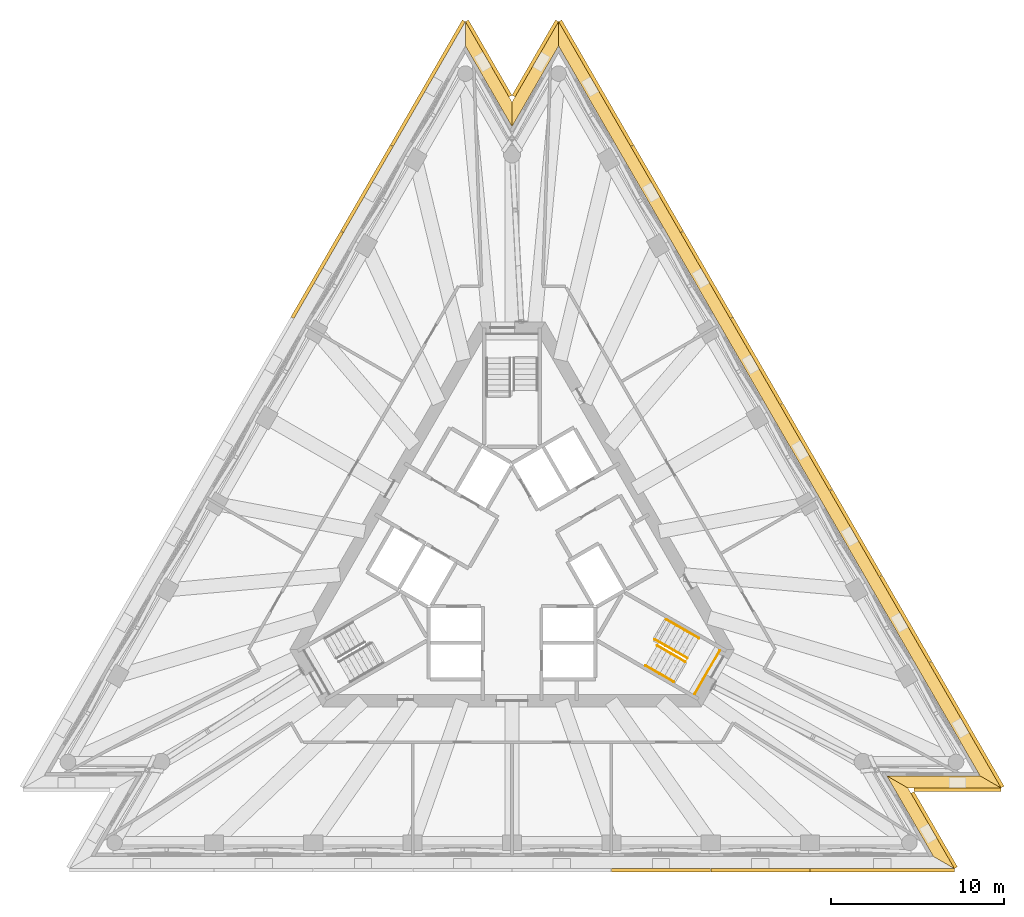
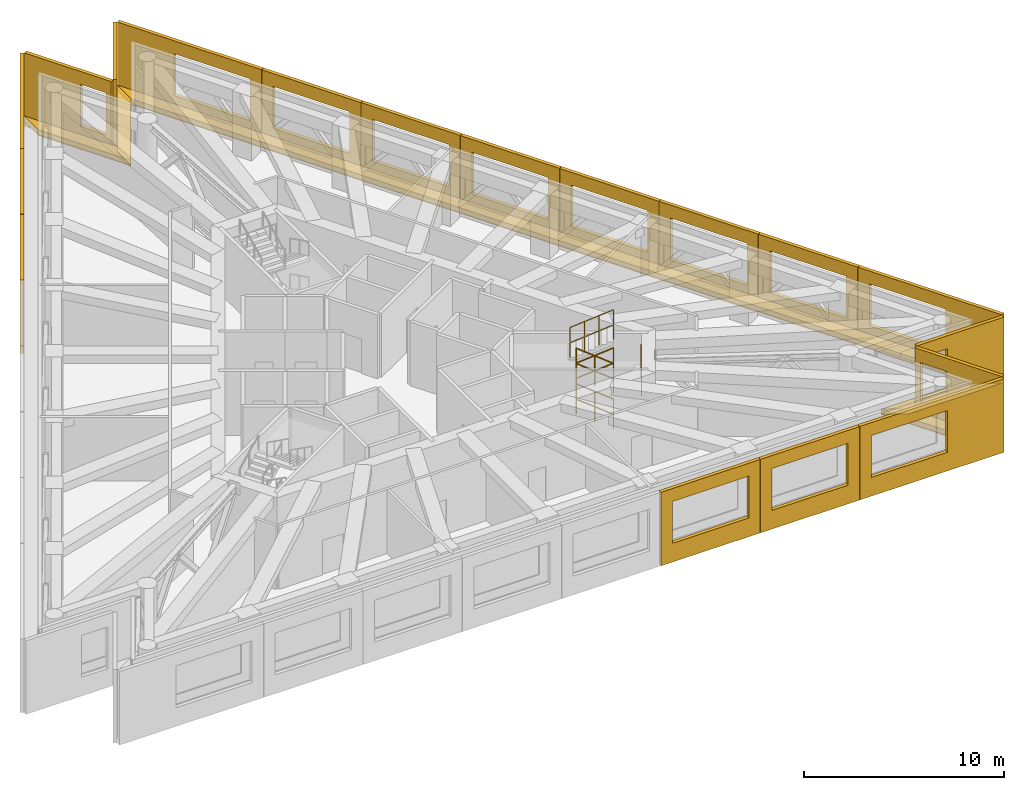
# One storey, part 12 of 12: 23 shading devices, 9 railings, 5 coverings, 1 element without a shape of its own.
"""IFC4 building model written with IfcOpenShell, lengths in metres."""

from ifc_helpers import new_model, si_unit, direction, frame, origin, origin_2d, place, context, subcontext, project, spatial, polyline, circle, outline, extrude, material, layer, layer_set, layer_usage, type_object, element, aggregate, save


model = new_model("IFC4")

# Units and contexts
model_context = context("Model", 3, precision=1e-05, world=origin(), true_north=direction((0.0, 1.0)))
body_context = subcontext(model_context, "Body", "Model", "MODEL_VIEW")
ifc_project = project(units=[si_unit("LENGTHUNIT", "METRE"), si_unit("AREAUNIT", "SQUARE_METRE"), si_unit("VOLUMEUNIT", "CUBIC_METRE"), si_unit("PLANEANGLEUNIT", "RADIAN"), si_unit("MASSUNIT", "GRAM", prefix="KILO")], contexts=[model_context])

# Site, building, storey
site_placement = place(None, origin())
site = spatial("IfcSite", under=ifc_project, at=site_placement, CompositionType="ELEMENT")
building_placement = place(site_placement, origin())
building = spatial("IfcBuilding", under=site, at=building_placement, Name="Triada Interchange Tower", CompositionType="ELEMENT")
storey_placement = place(building_placement, frame((0.0, 0.0, 251.300048828125)))
storey = spatial("IfcBuildingStorey", under=building, at=storey_placement, Name="L59", CompositionType="ELEMENT", Elevation=251.300048828125)

# Coverings
ifc_material_1 = material(Name="Mineral fire-stop board")
ifc_layer_1 = layer(ifc_material_1, 0.0400390625, Name="Mineral fire-stop board")
ifc_material_2 = material(Name="Intumescent sealant")
ifc_layer_2 = layer(ifc_material_2, 0.010009765625, Name="Intumescent seal")
ifc_layer_set_1 = layer_set([ifc_layer_1, ifc_layer_2], Name="Cavity fire stop")
ifc_layer_usage = layer_usage(ifc_layer_set_1, "AXIS3", "POSITIVE", 0.0)
covering_type = type_object("IfcCoveringType", Name="Cavity fire stop", PredefinedType="INSULATION", material=ifc_layer_set_1)
covering_1_placement = place(storey_placement, origin())
element("IfcCovering", 1, at=covering_1_placement, inside=storey, type_object=covering_type, material=ifc_layer_usage, Name="Cavity fire stop L59 SE-1", PredefinedType="INSULATION", context=body_context, shape_type="SweptSolid", body=[
    extrude(outline(polyline([(24.301025390625, -17.132080078125), (25.512939453125, -17.83203125), (22.826904296875, -13.178955078125), (21.614990234375, -12.47900390625), (24.301025390625, -17.132080078125)])), origin(), (0.0, 0.0, 1.0), 0.050048828125),
])
covering_2_placement = place(storey_placement, origin())
element("IfcCovering", 2, at=covering_2_placement, inside=storey, type_object=covering_type, material=ifc_layer_usage, Name="Cavity fire stop L59 SE-2", PredefinedType="INSULATION", context=body_context, shape_type="SweptSolid", body=[
    extrude(outline(polyline([(21.614990234375, -12.47900390625), (22.826904296875, -13.178955078125), (28.198974609375, -13.178955078125), (26.987060546875, -12.47900390625), (21.614990234375, -12.47900390625)])), origin(), (0.0, 0.0, 1.0), 0.050048828125),
])
covering_3_placement = place(storey_placement, origin())
element("IfcCovering", 3, at=covering_3_placement, inside=storey, type_object=covering_type, material=ifc_layer_usage, Name="Cavity fire stop L59 NE", PredefinedType="INSULATION", context=body_context, shape_type="SweptSolid", body=[
    extrude(outline(polyline([(26.987060546875, -12.47900390625), (28.198974609375, -13.178955078125), (2.68603515625, 31.010986328125), (2.68603515625, 29.611083984375), (26.987060546875, -12.47900390625)])), origin(), (0.0, 0.0, 1.0), 0.050048828125),
])
covering_4_placement = place(storey_placement, origin())
element("IfcCovering", 4, at=covering_4_placement, inside=storey, type_object=covering_type, material=ifc_layer_usage, Name="Cavity fire stop L59 N-1", PredefinedType="INSULATION", context=body_context, shape_type="SweptSolid", body=[
    extrude(outline(polyline([(2.68603515625, 29.611083984375), (2.68603515625, 31.010986328125), (0.0, 26.35888671875), (0.0, 24.958984375), (2.68603515625, 29.611083984375)])), origin(), (0.0, 0.0, 1.0), 0.050048828125),
])
covering_5_placement = place(storey_placement, origin())
element("IfcCovering", 5, at=covering_5_placement, inside=storey, type_object=covering_type, material=ifc_layer_usage, Name="Cavity fire stop L59 N-2", PredefinedType="INSULATION", context=body_context, shape_type="SweptSolid", body=[
    extrude(outline(polyline([(0.0, 24.958984375), (0.0, 26.35888671875), (-2.68603515625, 31.010986328125), (-2.68603515625, 29.611083984375), (0.0, 24.958984375)])), origin(), (0.0, 0.0, 1.0), 0.050048828125),
])

# Shading devices
ifc_material_3 = material(Name="Aluminium louvre", Category="aluminium")
shading_device_type_1 = type_object("IfcShadingDeviceType", Name="Cavity louvre grille", PredefinedType="JALOUSIE", material=ifc_material_3)
shading_device_1_placement = place(storey_placement, frame((0.0, 0.0, 0.050048828125)))
element("IfcShadingDevice", 6, at=shading_device_1_placement, inside=storey, type_object=shading_device_type_1, Name="Cavity louvre grille L59 SE-1", PredefinedType="JALOUSIE", context=body_context, shape_type="SweptSolid", body=[
    extrude(outline(polyline([(24.301025390625, -17.132080078125), (25.512939453125, -17.83203125), (22.826904296875, -13.178955078125), (21.614990234375, -12.47900390625), (24.301025390625, -17.132080078125)])), origin(), (0.0, 0.0, 1.0), 0.2998046875),
])
shading_device_2_placement = place(storey_placement, frame((0.0, 0.0, 0.050048828125)))
element("IfcShadingDevice", 7, at=shading_device_2_placement, inside=storey, type_object=shading_device_type_1, Name="Cavity louvre grille L59 SE-2", PredefinedType="JALOUSIE", context=body_context, shape_type="SweptSolid", body=[
    extrude(outline(polyline([(21.614990234375, -12.47900390625), (22.826904296875, -13.178955078125), (28.198974609375, -13.178955078125), (26.987060546875, -12.47900390625), (21.614990234375, -12.47900390625)])), origin(), (0.0, 0.0, 1.0), 0.2998046875),
])
shading_device_3_placement = place(storey_placement, frame((0.0, 0.0, 0.050048828125)))
element("IfcShadingDevice", 8, at=shading_device_3_placement, inside=storey, type_object=shading_device_type_1, Name="Cavity louvre grille L59 NE", PredefinedType="JALOUSIE", context=body_context, shape_type="SweptSolid", body=[
    extrude(outline(polyline([(26.987060546875, -12.47900390625), (28.198974609375, -13.178955078125), (2.68603515625, 31.010986328125), (2.68603515625, 29.611083984375), (26.987060546875, -12.47900390625)])), origin(), (0.0, 0.0, 1.0), 0.2998046875),
])
shading_device_4_placement = place(storey_placement, frame((0.0, 0.0, 0.050048828125)))
element("IfcShadingDevice", 9, at=shading_device_4_placement, inside=storey, type_object=shading_device_type_1, Name="Cavity louvre grille L59 N-1", PredefinedType="JALOUSIE", context=body_context, shape_type="SweptSolid", body=[
    extrude(outline(polyline([(2.68603515625, 29.611083984375), (2.68603515625, 31.010986328125), (0.0, 26.35888671875), (0.0, 24.958984375), (2.68603515625, 29.611083984375)])), origin(), (0.0, 0.0, 1.0), 0.2998046875),
])
shading_device_5_placement = place(storey_placement, frame((0.0, 0.0, 0.050048828125)))
element("IfcShadingDevice", 10, at=shading_device_5_placement, inside=storey, type_object=shading_device_type_1, Name="Cavity louvre grille L59 N-2", PredefinedType="JALOUSIE", context=body_context, shape_type="SweptSolid", body=[
    extrude(outline(polyline([(0.0, 24.958984375), (0.0, 26.35888671875), (-2.68603515625, 31.010986328125), (-2.68603515625, 29.611083984375), (0.0, 24.958984375)])), origin(), (0.0, 0.0, 1.0), 0.2998046875),
])
ifc_material_4 = material(Name="Concrete C50/60 precast", Category="concrete")
ifc_layer_3 = layer(ifc_material_4, 0.02001953125, Name="Exposed aggregate face")
ifc_layer_4 = layer(ifc_material_4, 0.179931640625, Name="Precast concrete screen")
ifc_layer_set_2 = layer_set([ifc_layer_3, ifc_layer_4], Name="Outer skin screen panel 4480")
shading_device_type_2 = type_object("IfcShadingDeviceType", Name="Outer skin screen panel 4480", PredefinedType="SHUTTER", material=ifc_layer_set_2)
shading_device_6_placement = place(storey_placement, frame((-2.69091796875, 31.001953125, -0.2900390625), z_axis=(0.0, 0.0, 1.0), x_axis=(-0.499973480863, -0.866040714074, 0.0)))
element("IfcShadingDevice", 11, at=shading_device_6_placement, inside=storey, type_object=shading_device_type_2, Name="Outer skin screen panel L59 01", PredefinedType="SHUTTER", context=body_context, shape_type="SweptSolid", body=[
    extrude(outline(polyline([(0.0, 0.0), (8.306640625, 0.0), (8.306640625, 4.47998046875), (0.0, 4.47998046875), (0.0, 0.0)]), holes=[polyline([(3.252685546875, 1.139892578125), (3.252685546875, 3.68994140625), (7.652587890625, 3.68994140625), (7.652587890625, 1.139892578125), (3.252685546875, 1.139892578125)])]), frame((0.0, 0.0, 0.0), z_axis=(0.0, -1.0, 0.0), x_axis=(1.0, 0.0, 0.0)), (0.0, 0.0, 1.0), 0.199951171875),
])
shading_device_7_placement = place(storey_placement, frame((-6.85400390625, 23.791015625, -0.2900390625), z_axis=(0.0, 0.0, 1.0), x_axis=(-0.500066698622, -0.865986891892, 0.0)))
element("IfcShadingDevice", 12, at=shading_device_7_placement, inside=storey, type_object=shading_device_type_2, Name="Outer skin screen panel L59 02", PredefinedType="SHUTTER", context=body_context, shape_type="SweptSolid", body=[
    extrude(outline(polyline([(0.0, 0.0), (5.709228515625, 0.0), (5.709228515625, 4.47998046875), (0.0, 4.47998046875), (0.0, 0.0)]), holes=[polyline([(0.65478515625, 1.139892578125), (0.65478515625, 3.68994140625), (5.0546875, 3.68994140625), (5.0546875, 1.139892578125), (0.65478515625, 1.139892578125)])]), frame((0.0, 0.0, 0.0), z_axis=(0.0, -1.0, 0.0), x_axis=(1.0, 0.0, 0.0)), (0.0, 0.0, 1.0), 0.199951171875),
])
shading_device_8_placement = place(storey_placement, frame((-9.718994140625, 18.830078125, -0.2900390625), z_axis=(0.0, 0.0, 1.0), x_axis=(-0.499938405553, -0.866060962434, 0.0)))
element("IfcShadingDevice", 13, at=shading_device_8_placement, inside=storey, type_object=shading_device_type_2, Name="Outer skin screen panel L59 03", PredefinedType="SHUTTER", context=body_context, shape_type="SweptSolid", body=[
    extrude(outline(polyline([(0.0, 0.0), (5.708740234375, 0.0), (5.708740234375, 4.47998046875), (0.0, 4.47998046875), (0.0, 0.0)]), holes=[polyline([(0.654052734375, 1.139892578125), (0.654052734375, 3.68994140625), (5.053955078125, 3.68994140625), (5.053955078125, 1.139892578125), (0.654052734375, 1.139892578125)])]), frame((0.0, 0.0, 0.0), z_axis=(0.0, -1.0, 0.0), x_axis=(1.0, 0.0, 0.0)), (0.0, 0.0, 1.0), 0.199951171875),
])
shading_device_9_placement = place(storey_placement, frame((5.739013671875, -17.83203125, -0.2900390625), z_axis=(0.0, 0.0, 1.0), x_axis=(1.0, 0.0, 0.0)))
element("IfcShadingDevice", 14, at=shading_device_9_placement, inside=storey, type_object=shading_device_type_2, Name="Outer skin screen panel L59 16", PredefinedType="SHUTTER", context=body_context, shape_type="SweptSolid", body=[
    extrude(outline(polyline([(0.0, 0.0), (5.708984375, 0.0), (5.708984375, 4.47998046875), (0.0, 4.47998046875), (0.0, 0.0)]), holes=[polyline([(0.654296875, 1.139892578125), (0.654296875, 3.68994140625), (5.05419921875, 3.68994140625), (5.05419921875, 1.139892578125), (0.654296875, 1.139892578125)])]), frame((0.0, 0.0, 0.0), z_axis=(0.0, -1.0, 0.0), x_axis=(1.0, 0.0, 0.0)), (0.0, 0.0, 1.0), 0.199951171875),
])
shading_device_10_placement = place(storey_placement, frame((11.467041015625, -17.83203125, -0.2900390625), z_axis=(0.0, 0.0, 1.0), x_axis=(1.0, 0.0, 0.0)))
element("IfcShadingDevice", 15, at=shading_device_10_placement, inside=storey, type_object=shading_device_type_2, Name="Outer skin screen panel L59 17", PredefinedType="SHUTTER", context=body_context, shape_type="SweptSolid", body=[
    extrude(outline(polyline([(0.0, 0.0), (5.708984375, 0.0), (5.708984375, 4.47998046875), (0.0, 4.47998046875), (0.0, 0.0)]), holes=[polyline([(0.654541015625, 1.139892578125), (0.654541015625, 3.68994140625), (5.054443359375, 3.68994140625), (5.054443359375, 1.139892578125), (0.654541015625, 1.139892578125)])]), frame((0.0, 0.0, 0.0), z_axis=(0.0, -1.0, 0.0), x_axis=(1.0, 0.0, 0.0)), (0.0, 0.0, 1.0), 0.199951171875),
])
shading_device_11_placement = place(storey_placement, frame((17.196044921875, -17.83203125, -0.2900390625), z_axis=(0.0, 0.0, 1.0), x_axis=(1.0, 0.0, 0.0)))
element("IfcShadingDevice", 16, at=shading_device_11_placement, inside=storey, type_object=shading_device_type_2, Name="Outer skin screen panel L59 18", PredefinedType="SHUTTER", context=body_context, shape_type="SweptSolid", body=[
    extrude(outline(polyline([(0.0, 0.0), (8.306884765625, 0.0), (8.306884765625, 4.47998046875), (0.0, 4.47998046875), (0.0, 0.0)]), holes=[polyline([(0.65478515625, 1.139892578125), (0.65478515625, 3.68994140625), (5.0546875, 3.68994140625), (5.0546875, 1.139892578125), (0.65478515625, 1.139892578125)])]), frame((0.0, 0.0, 0.0), z_axis=(0.0, -1.0, 0.0), x_axis=(1.0, 0.0, 0.0)), (0.0, 0.0, 1.0), 0.199951171875),
])
shading_device_12_placement = place(storey_placement, frame((25.508056640625, -17.822998046875, -0.2900390625), z_axis=(0.0, 0.0, 1.0), x_axis=(-0.500057377241, 0.865992274485, 0.0)))
element("IfcShadingDevice", 17, at=shading_device_12_placement, inside=storey, type_object=shading_device_type_2, Name="Outer skin screen panel L59 19", PredefinedType="SHUTTER", context=body_context, shape_type="SweptSolid", body=[
    extrude(outline(polyline([(0.0, 0.0), (5.005859375, 0.0), (5.005859375, 4.47998046875), (0.0, 4.47998046875), (0.0, 0.0)]), holes=[polyline([(3.17529296875, 1.139892578125), (3.17529296875, 3.68994140625), (4.705810546875, 3.68994140625), (4.705810546875, 1.139892578125), (3.17529296875, 1.139892578125)])]), frame((0.0, 0.0, 0.0), z_axis=(0.0, -1.0, 0.0), x_axis=(1.0, 0.0, 0.0)), (0.0, 0.0, 1.0), 0.199951171875),
])
shading_device_13_placement = place(storey_placement, frame((23.18408203125, -13.178955078125, -0.2900390625), z_axis=(0.0, 0.0, 1.0), x_axis=(1.0, 0.0, 0.0)))
element("IfcShadingDevice", 18, at=shading_device_13_placement, inside=storey, type_object=shading_device_type_2, Name="Outer skin screen panel L59 20", PredefinedType="SHUTTER", context=body_context, shape_type="SweptSolid", body=[
    extrude(outline(polyline([(0.0, 0.0), (5.0048828125, 0.0), (5.0048828125, 4.47998046875), (0.0, 4.47998046875), (0.0, 0.0)]), holes=[polyline([(0.300048828125, 1.139892578125), (0.300048828125, 3.68994140625), (1.758056640625, 3.68994140625), (1.758056640625, 1.139892578125), (0.300048828125, 1.139892578125)])]), frame((0.0, 0.0, 0.0), z_axis=(0.0, -1.0, 0.0), x_axis=(1.0, 0.0, 0.0)), (0.0, 0.0, 1.0), 0.199951171875),
])
shading_device_14_placement = place(storey_placement, frame((28.194091796875, -13.169921875, -0.2900390625), z_axis=(0.0, 0.0, 1.0), x_axis=(-0.499973480863, 0.866040714074, 0.0)))
element("IfcShadingDevice", 19, at=shading_device_14_placement, inside=storey, type_object=shading_device_type_2, Name="Outer skin screen panel L59 21", PredefinedType="SHUTTER", context=body_context, shape_type="SweptSolid", body=[
    extrude(outline(polyline([(0.0, 0.0), (8.306640625, 0.0), (8.306640625, 4.47998046875), (0.0, 4.47998046875), (0.0, 0.0)]), holes=[polyline([(3.252197265625, 1.139892578125), (3.252197265625, 3.68994140625), (7.65234375, 3.68994140625), (7.65234375, 1.139892578125), (3.252197265625, 1.139892578125)])]), frame((0.0, 0.0, 0.0), z_axis=(0.0, -1.0, 0.0), x_axis=(1.0, 0.0, 0.0)), (0.0, 0.0, 1.0), 0.199951171875),
])
shading_device_15_placement = place(storey_placement, frame((24.031005859375, -5.958984375, -0.2900390625), z_axis=(0.0, 0.0, 1.0), x_axis=(-0.500066698622, 0.865986891892, 0.0)))
element("IfcShadingDevice", 20, at=shading_device_15_placement, inside=storey, type_object=shading_device_type_2, Name="Outer skin screen panel L59 22", PredefinedType="SHUTTER", context=body_context, shape_type="SweptSolid", body=[
    extrude(outline(polyline([(0.0, 0.0), (5.709228515625, 0.0), (5.709228515625, 4.47998046875), (0.0, 4.47998046875), (0.0, 0.0)]), holes=[polyline([(0.654541015625, 1.139892578125), (0.654541015625, 3.68994140625), (5.054443359375, 3.68994140625), (5.054443359375, 1.139892578125), (0.654541015625, 1.139892578125)])]), frame((0.0, 0.0, 0.0), z_axis=(0.0, -1.0, 0.0), x_axis=(1.0, 0.0, 0.0)), (0.0, 0.0, 1.0), 0.199951171875),
])
shading_device_16_placement = place(storey_placement, frame((21.166015625, -0.998046875, -0.2900390625), z_axis=(0.0, 0.0, 1.0), x_axis=(-0.499938405553, 0.866060962434, 0.0)))
element("IfcShadingDevice", 21, at=shading_device_16_placement, inside=storey, type_object=shading_device_type_2, Name="Outer skin screen panel L59 23", PredefinedType="SHUTTER", context=body_context, shape_type="SweptSolid", body=[
    extrude(outline(polyline([(0.0, 0.0), (5.708740234375, 0.0), (5.708740234375, 4.47998046875), (0.0, 4.47998046875), (0.0, 0.0)]), holes=[polyline([(0.65478515625, 1.139892578125), (0.65478515625, 3.68994140625), (5.0546875, 3.68994140625), (5.0546875, 1.139892578125), (0.65478515625, 1.139892578125)])]), frame((0.0, 0.0, 0.0), z_axis=(0.0, -1.0, 0.0), x_axis=(1.0, 0.0, 0.0)), (0.0, 0.0, 1.0), 0.199951171875),
])
shading_device_17_placement = place(storey_placement, frame((18.302001953125, 3.962890625, -0.2900390625), z_axis=(0.0, 0.0, 1.0), x_axis=(-0.499938405553, 0.866060962434, 0.0)))
element("IfcShadingDevice", 22, at=shading_device_17_placement, inside=storey, type_object=shading_device_type_2, Name="Outer skin screen panel L59 24", PredefinedType="SHUTTER", context=body_context, shape_type="SweptSolid", body=[
    extrude(outline(polyline([(0.0, 0.0), (5.708740234375, 0.0), (5.708740234375, 4.47998046875), (0.0, 4.47998046875), (0.0, 0.0)]), holes=[polyline([(0.654052734375, 1.139892578125), (0.654052734375, 3.68994140625), (5.053955078125, 3.68994140625), (5.053955078125, 1.139892578125), (0.654052734375, 1.139892578125)])]), frame((0.0, 0.0, 0.0), z_axis=(0.0, -1.0, 0.0), x_axis=(1.0, 0.0, 0.0)), (0.0, 0.0, 1.0), 0.199951171875),
])
shading_device_18_placement = place(storey_placement, frame((15.43798828125, 8.925048828125, -0.2900390625), z_axis=(0.0, 0.0, 1.0), x_axis=(-0.50008521762, 0.865976197778, 0.0)))
element("IfcShadingDevice", 23, at=shading_device_18_placement, inside=storey, type_object=shading_device_type_2, Name="Outer skin screen panel L59 25", PredefinedType="SHUTTER", context=body_context, shape_type="SweptSolid", body=[
    extrude(outline(polyline([(0.0, 0.0), (5.708984375, 0.0), (5.708984375, 4.47998046875), (0.0, 4.47998046875), (0.0, 0.0)]), holes=[polyline([(0.654296875, 1.139892578125), (0.654296875, 3.68994140625), (5.05419921875, 3.68994140625), (5.05419921875, 1.139892578125), (0.654296875, 1.139892578125)])]), frame((0.0, 0.0, 0.0), z_axis=(0.0, -1.0, 0.0), x_axis=(1.0, 0.0, 0.0)), (0.0, 0.0, 1.0), 0.199951171875),
])
shading_device_19_placement = place(storey_placement, frame((12.572998046875, 13.885986328125, -0.2900390625), z_axis=(0.0, 0.0, 1.0), x_axis=(-0.499938405553, 0.866060962434, 0.0)))
element("IfcShadingDevice", 24, at=shading_device_19_placement, inside=storey, type_object=shading_device_type_2, Name="Outer skin screen panel L59 26", PredefinedType="SHUTTER", context=body_context, shape_type="SweptSolid", body=[
    extrude(outline(polyline([(0.0, 0.0), (5.708740234375, 0.0), (5.708740234375, 4.47998046875), (0.0, 4.47998046875), (0.0, 0.0)]), holes=[polyline([(0.654541015625, 1.139892578125), (0.654541015625, 3.68994140625), (5.054443359375, 3.68994140625), (5.054443359375, 1.139892578125), (0.654541015625, 1.139892578125)])]), frame((0.0, 0.0, 0.0), z_axis=(0.0, -1.0, 0.0), x_axis=(1.0, 0.0, 0.0)), (0.0, 0.0, 1.0), 0.199951171875),
])
shading_device_20_placement = place(storey_placement, frame((9.708984375, 18.846923828125, -0.2900390625), z_axis=(0.0, 0.0, 1.0), x_axis=(-0.500066698622, 0.865986891892, 0.0)))
element("IfcShadingDevice", 25, at=shading_device_20_placement, inside=storey, type_object=shading_device_type_2, Name="Outer skin screen panel L59 27", PredefinedType="SHUTTER", context=body_context, shape_type="SweptSolid", body=[
    extrude(outline(polyline([(0.0, 0.0), (5.709228515625, 0.0), (5.709228515625, 4.47998046875), (0.0, 4.47998046875), (0.0, 0.0)]), holes=[polyline([(0.65478515625, 1.139892578125), (0.65478515625, 3.68994140625), (5.0546875, 3.68994140625), (5.0546875, 1.139892578125), (0.65478515625, 1.139892578125)])]), frame((0.0, 0.0, 0.0), z_axis=(0.0, -1.0, 0.0), x_axis=(1.0, 0.0, 0.0)), (0.0, 0.0, 1.0), 0.199951171875),
])
shading_device_21_placement = place(storey_placement, frame((6.843994140625, 23.80810546875, -0.2900390625), z_axis=(0.0, 0.0, 1.0), x_axis=(-0.499973480863, 0.866040714074, 0.0)))
element("IfcShadingDevice", 26, at=shading_device_21_placement, inside=storey, type_object=shading_device_type_2, Name="Outer skin screen panel L59 28", PredefinedType="SHUTTER", context=body_context, shape_type="SweptSolid", body=[
    extrude(outline(polyline([(0.0, 0.0), (8.306640625, 0.0), (8.306640625, 4.47998046875), (0.0, 4.47998046875), (0.0, 0.0)]), holes=[polyline([(0.65380859375, 1.139892578125), (0.65380859375, 3.68994140625), (5.053955078125, 3.68994140625), (5.053955078125, 1.139892578125), (0.65380859375, 1.139892578125)])]), frame((0.0, 0.0, 0.0), z_axis=(0.0, -1.0, 0.0), x_axis=(1.0, 0.0, 0.0)), (0.0, 0.0, 1.0), 0.199951171875),
])
shading_device_22_placement = place(storey_placement, frame((2.680908203125, 31.001953125, -0.2900390625), z_axis=(0.0, 0.0, 1.0), x_axis=(-0.500105291396, -0.865964605234, 0.0)))
element("IfcShadingDevice", 27, at=shading_device_22_placement, inside=storey, type_object=shading_device_type_2, Name="Outer skin screen panel L59 29", PredefinedType="SHUTTER", context=body_context, shape_type="SweptSolid", body=[
    extrude(outline(polyline([(0.0, 0.0), (5.0048828125, 0.0), (5.0048828125, 4.47998046875), (0.0, 4.47998046875), (0.0, 0.0)]), holes=[polyline([(3.175537109375, 1.139892578125), (3.175537109375, 3.68994140625), (4.705322265625, 3.68994140625), (4.705322265625, 1.139892578125), (3.175537109375, 1.139892578125)])]), frame((0.0, 0.0, 0.0), z_axis=(0.0, -1.0, 0.0), x_axis=(1.0, 0.0, 0.0)), (0.0, 0.0, 1.0), 0.199951171875),
])
shading_device_23_placement = place(storey_placement, frame((-0.177978515625, 26.66796875, -0.2900390625), z_axis=(0.0, 0.0, 1.0), x_axis=(-0.500105291396, 0.865964605234, 0.0)))
element("IfcShadingDevice", 28, at=shading_device_23_placement, inside=storey, type_object=shading_device_type_2, Name="Outer skin screen panel L59 30", PredefinedType="SHUTTER", context=body_context, shape_type="SweptSolid", body=[
    extrude(outline(polyline([(0.0, 0.0), (5.0048828125, 0.0), (5.0048828125, 4.47998046875), (0.0, 4.47998046875), (0.0, 0.0)]), holes=[polyline([(0.300048828125, 1.139892578125), (0.300048828125, 3.68994140625), (1.7578125, 3.68994140625), (1.7578125, 1.139892578125), (0.300048828125, 1.139892578125)])]), frame((0.0, 0.0, 0.0), z_axis=(0.0, -1.0, 0.0), x_axis=(1.0, 0.0, 0.0)), (0.0, 0.0, 1.0), 0.199951171875),
])

# Stair, railings
ifc_material_5 = material(Name="Concrete C35/45", Category="concrete")
stair_type = type_object("IfcStairType", Name="HALF TURN STAIR 1400", PredefinedType="HALF_TURN_STAIR", material=ifc_material_5)
stair_placement = place(storey_placement, origin())
stair = element("IfcStair", 29, at=stair_placement, inside=storey, type_object=stair_type, Name="Exit stair S59-3", PredefinedType="HALF_TURN_STAIR")
ifc_material_6 = material(Name="Stainless steel 1.4301", Category="steel")
railing_type_1 = type_object("IfcRailingType", Name="STAIR GUARD 1100", PredefinedType="GUARDRAIL", material=ifc_material_6)
railing_1_placement = place(storey_placement, frame((10.532958984375, -7.756103515625, 2.17236328125)))
railing_1 = element("IfcRailing", 30, at=railing_1_placement, type_object=railing_type_1, Name="Guard S59-3 1", PredefinedType="GUARDRAIL", context=body_context, shape_type="SweptSolid", body=[
    extrude(circle(Radius=0.02392578125, at=origin_2d()), frame((0.0, 0.0, 1.076171875), z_axis=(0.499877891294, 0.866095891802, 0.0), x_axis=(-0.866095891802, 0.499877891294, 0.0)), (0.0, 0.0, 1.0), 2.900634765625),
    extrude(circle(Radius=0.02099609375, at=origin_2d()), origin(), (0.0, 0.0, 1.0), 1.052001953125),
    extrude(circle(Radius=0.02099609375, at=origin_2d()), frame((0.4833984375, 0.83740234375, 0.0)), (0.0, 0.0, 1.0), 1.052001953125),
    extrude(circle(Radius=0.02099609375, at=origin_2d()), frame((0.966552734375, 1.6748046875, 0.0)), (0.0, 0.0, 1.0), 1.052001953125),
    extrude(circle(Radius=0.02099609375, at=origin_2d()), frame((1.449951171875, 2.51220703125, 0.0)), (0.0, 0.0, 1.0), 1.052001953125),
])
railing_type_2 = type_object("IfcRailingType", Name="STAIR HANDRAIL 900", PredefinedType="HANDRAIL", material=ifc_material_6)
railing_2_placement = place(storey_placement, frame((9.321044921875, -7.055908203125, 0.155029296875)))
railing_2 = element("IfcRailing", 31, at=railing_2_placement, type_object=railing_type_2, Name="Handrail S59-3 1W", PredefinedType="HANDRAIL", context=body_context, shape_type="SweptSolid", body=[
    extrude(circle(Radius=0.02392578125, at=origin_2d()), frame((0.0, 0.0, 0.8759765625), z_axis=(-0.774469289278, 0.447030386856, 0.447617194925), x_axis=(-0.499908018857, -0.866078502609, 0.0)), (0.0, 0.0, 1.0), 2.080322265625),
    extrude(circle(Radius=0.02099609375, at=origin_2d()), origin(), (0.0, 0.0, 1.0), 0.851806640625),
    extrude(circle(Radius=0.02099609375, at=origin_2d()), frame((-0.8056640625, 0.46484375, 0.465576171875)), (0.0, 0.0, 1.0), 0.851806640625),
    extrude(circle(Radius=0.02099609375, at=origin_2d()), frame((-1.611083984375, 0.929931640625, 0.93115234375)), (0.0, 0.0, 1.0), 0.851806640625),
])
railing_3_placement = place(storey_placement, frame((9.986083984375, -5.904052734375, 0.155029296875)))
railing_3 = element("IfcRailing", 32, at=railing_3_placement, type_object=railing_type_2, Name="Handrail S59-3 1C", PredefinedType="HANDRAIL", context=body_context, shape_type="SweptSolid", body=[
    extrude(circle(Radius=0.02392578125, at=origin_2d()), frame((0.0, 0.0, 0.8759765625), z_axis=(-0.774469289278, 0.447030386856, 0.447617194925), x_axis=(-0.499908018857, -0.866078502609, 0.0)), (0.0, 0.0, 1.0), 2.080322265625),
    extrude(circle(Radius=0.02099609375, at=origin_2d()), origin(), (0.0, 0.0, 1.0), 0.851806640625),
    extrude(circle(Radius=0.02099609375, at=origin_2d()), frame((-0.8056640625, 0.46484375, 0.465576171875)), (0.0, 0.0, 1.0), 0.851806640625),
    extrude(circle(Radius=0.02099609375, at=origin_2d()), frame((-1.611083984375, 0.929931640625, 0.93115234375)), (0.0, 0.0, 1.0), 0.851806640625),
])
railing_4_placement = place(storey_placement, frame((9.159912109375, -3.614013671875, 1.241455078125)))
railing_4 = element("IfcRailing", 33, at=railing_4_placement, type_object=railing_type_2, Name="Handrail S59-3 2W", PredefinedType="HANDRAIL", context=body_context, shape_type="SweptSolid", body=[
    extrude(circle(Radius=0.02392578125, at=origin_2d()), frame((0.0, 0.0, 0.8759765625), z_axis=(0.774509972404, -0.447053869509, 0.447523340624), x_axis=(0.499908018857, 0.866078502609, 0.0)), (0.0, 0.0, 1.0), 2.080078125),
    extrude(circle(Radius=0.02099609375, at=origin_2d()), origin(), (0.0, 0.0, 1.0), 0.851806640625),
    extrude(circle(Radius=0.02099609375, at=origin_2d()), frame((0.8056640625, -0.46484375, 0.46533203125)), (0.0, 0.0, 1.0), 0.851806640625),
    extrude(circle(Radius=0.02099609375, at=origin_2d()), frame((1.611083984375, -0.929931640625, 0.930908203125)), (0.0, 0.0, 1.0), 0.851806640625),
])
railing_5_placement = place(storey_placement, frame((8.4951171875, -4.76611328125, 1.241455078125)))
railing_5 = element("IfcRailing", 34, at=railing_5_placement, type_object=railing_type_2, Name="Handrail S59-3 2C", PredefinedType="HANDRAIL", context=body_context, shape_type="SweptSolid", body=[
    extrude(circle(Radius=0.02392578125, at=origin_2d()), frame((0.0, 0.0, 0.8759765625), z_axis=(0.774463003126, -0.447094510292, 0.447564024086), x_axis=(0.499964847546, 0.866045698112, 0.0)), (0.0, 0.0, 1.0), 2.079833984375),
    extrude(circle(Radius=0.02099609375, at=origin_2d()), origin(), (0.0, 0.0, 1.0), 0.851806640625),
    extrude(circle(Radius=0.02099609375, at=origin_2d()), frame((0.805419921875, -0.46484375, 0.46533203125)), (0.0, 0.0, 1.0), 0.851806640625),
    extrude(circle(Radius=0.02099609375, at=origin_2d()), frame((1.61083984375, -0.929931640625, 0.930908203125)), (0.0, 0.0, 1.0), 0.851806640625),
])
railing_6_placement = place(storey_placement, frame((9.321044921875, -7.055908203125, 2.32763671875)))
railing_6 = element("IfcRailing", 35, at=railing_6_placement, type_object=railing_type_2, Name="Handrail S59-3 3W", PredefinedType="HANDRAIL", context=body_context, shape_type="SweptSolid", body=[
    extrude(circle(Radius=0.02392578125, at=origin_2d()), frame((0.0, 0.0, 0.8759765625), z_axis=(-0.774509972404, 0.447053869509, 0.447523340624), x_axis=(-0.499908018857, -0.866078502609, 0.0)), (0.0, 0.0, 1.0), 2.080078125),
    extrude(circle(Radius=0.02099609375, at=origin_2d()), origin(), (0.0, 0.0, 1.0), 0.851806640625),
    extrude(circle(Radius=0.02099609375, at=origin_2d()), frame((-0.8056640625, 0.46484375, 0.46533203125)), (0.0, 0.0, 1.0), 0.851806640625),
    extrude(circle(Radius=0.02099609375, at=origin_2d()), frame((-1.611083984375, 0.929931640625, 0.930908203125)), (0.0, 0.0, 1.0), 0.851806640625),
])
railing_7_placement = place(storey_placement, frame((9.986083984375, -5.904052734375, 2.32763671875)))
railing_7 = element("IfcRailing", 36, at=railing_7_placement, type_object=railing_type_2, Name="Handrail S59-3 3C", PredefinedType="HANDRAIL", context=body_context, shape_type="SweptSolid", body=[
    extrude(circle(Radius=0.02392578125, at=origin_2d()), frame((0.0, 0.0, 0.8759765625), z_axis=(-0.774509972404, 0.447053869509, 0.447523340624), x_axis=(-0.499908018857, -0.866078502609, 0.0)), (0.0, 0.0, 1.0), 2.080078125),
    extrude(circle(Radius=0.02099609375, at=origin_2d()), origin(), (0.0, 0.0, 1.0), 0.851806640625),
    extrude(circle(Radius=0.02099609375, at=origin_2d()), frame((-0.8056640625, 0.46484375, 0.46533203125)), (0.0, 0.0, 1.0), 0.851806640625),
    extrude(circle(Radius=0.02099609375, at=origin_2d()), frame((-1.611083984375, 0.929931640625, 0.930908203125)), (0.0, 0.0, 1.0), 0.851806640625),
])
railing_8_placement = place(storey_placement, frame((8.89208984375, -3.458984375, 3.413818359375)))
railing_8 = element("IfcRailing", 37, at=railing_8_placement, type_object=railing_type_2, Name="Handrail S59-3 4W", PredefinedType="HANDRAIL", context=body_context, shape_type="SweptSolid", body=[
    extrude(circle(Radius=0.02392578125, at=origin_2d()), frame((0.0, 0.0, 0.8759765625), z_axis=(0.774372634864, -0.44715592377, 0.447659024494), x_axis=(0.500060114735, 0.865990693744, 0.0)), (0.0, 0.0, 1.0), 2.42626953125),
    extrude(circle(Radius=0.02099609375, at=origin_2d()), origin(), (0.0, 0.0, 1.0), 0.851806640625),
    extrude(circle(Radius=0.02099609375, at=origin_2d()), frame((0.626220703125, -0.361572265625, 0.362060546875)), (0.0, 0.0, 1.0), 0.851806640625),
    extrude(circle(Radius=0.02099609375, at=origin_2d()), frame((1.252685546875, -0.723388671875, 0.72412109375)), (0.0, 0.0, 1.0), 0.851806640625),
    extrude(circle(Radius=0.02099609375, at=origin_2d()), frame((1.87890625, -1.0849609375, 1.086181640625)), (0.0, 0.0, 1.0), 0.851806640625),
])
railing_9_placement = place(storey_placement, frame((8.22705078125, -4.611083984375, 3.413818359375)))
railing_9 = element("IfcRailing", 38, at=railing_9_placement, type_object=railing_type_2, Name="Handrail S59-3 4C", PredefinedType="HANDRAIL", context=body_context, shape_type="SweptSolid", body=[
    extrude(circle(Radius=0.02392578125, at=origin_2d()), frame((0.0, 0.0, 0.8759765625), z_axis=(0.774372634864, -0.44715592377, 0.447659024494), x_axis=(0.500060114735, 0.865990693744, 0.0)), (0.0, 0.0, 1.0), 2.42626953125),
    extrude(circle(Radius=0.02099609375, at=origin_2d()), origin(), (0.0, 0.0, 1.0), 0.851806640625),
    extrude(circle(Radius=0.02099609375, at=origin_2d()), frame((0.626220703125, -0.361572265625, 0.362060546875)), (0.0, 0.0, 1.0), 0.851806640625),
    extrude(circle(Radius=0.02099609375, at=origin_2d()), frame((1.252685546875, -0.723388671875, 0.72412109375)), (0.0, 0.0, 1.0), 0.851806640625),
    extrude(circle(Radius=0.02099609375, at=origin_2d()), frame((1.87890625, -1.0849609375, 1.086181640625)), (0.0, 0.0, 1.0), 0.851806640625),
])
aggregate(stair, [railing_2, railing_3, railing_4, railing_5, railing_6, railing_7, railing_8, railing_9, railing_1])

save(model, "model.ifc")
